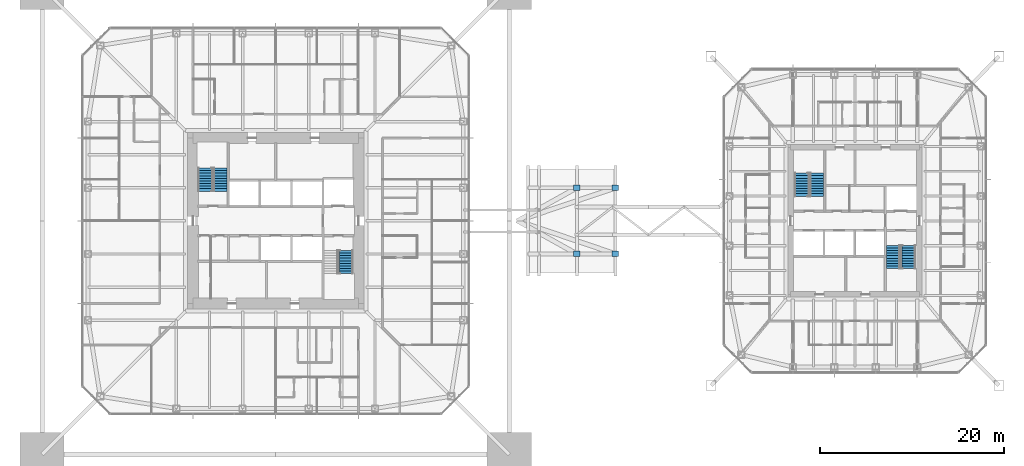
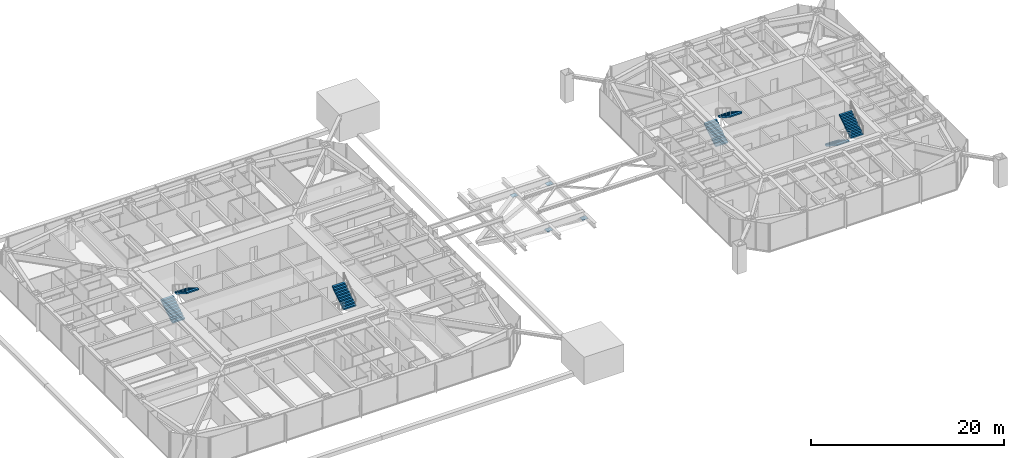
# One storey, part 21 of 26: 7 stair flights, 4 discrete accessories, 4 elements without a shape of their own.
"""IFC4 building model written with IfcOpenShell, lengths in metres."""

from ifc_helpers import new_model, si_unit, direction, frame, origin, origin_2d, place, context, subcontext, project, spatial, polyline, rectangle, outline, extrude, material, constituent, constituent_set, type_object, element, aggregate, save


model = new_model("IFC4")

# Units and contexts
model_context = context("Model", 3, precision=1e-05, world=origin(), true_north=direction((0.0, 1.0)))
body_context = subcontext(model_context, "Body", "Model", "MODEL_VIEW")
ifc_project = project(units=[si_unit("LENGTHUNIT", "METRE"), si_unit("AREAUNIT", "SQUARE_METRE"), si_unit("VOLUMEUNIT", "CUBIC_METRE"), si_unit("PLANEANGLEUNIT", "RADIAN"), si_unit("MASSUNIT", "GRAM", prefix="KILO")], contexts=[model_context])

# Site, building, storey
site_placement = place(None, origin())
site = spatial("IfcSite", under=ifc_project, at=site_placement, CompositionType="ELEMENT")
building_placement = place(site_placement, origin())
building = spatial("IfcBuilding", under=site, at=building_placement, Name="Iwan Alto Co-Living Towers", CompositionType="ELEMENT")
storey_placement = place(building_placement, frame((0.0, 0.0, 126.0)))
storey = spatial("IfcBuildingStorey", under=building, at=storey_placement, Name="L34", CompositionType="ELEMENT", Elevation=126.0)

# Stair, stair flights
ifc_material_1 = material(Name="Steel ASTM A36", Category="steel")
ifc_constituent_1 = constituent(ifc_material_1, Name="Stringers", Category="LoadBearing")
ifc_material_2 = material(Name="Concrete f'c 30 MPa", Category="concrete")
ifc_constituent_2 = constituent(ifc_material_2, Name="Tread fill", Category="Finish")
ifc_constituent_set_1 = constituent_set(constituents=[ifc_constituent_1, ifc_constituent_2], Name="STAIR 3500 TWO-FLIGHT T1 CORE")
stair_type_1 = type_object("IfcStairType", Name="STAIR 3500 TWO-FLIGHT T1 CORE", PredefinedType="HALF_TURN_STAIR", material=ifc_constituent_set_1)
stair_1_placement = place(storey_placement, origin())
stair_1 = element("IfcStair", 1, at=stair_1_placement, inside=storey, type_object=stair_type_1, Name="Stair T1-S1 L34 to L35", PredefinedType="HALF_TURN_STAIR")
ifc_constituent_3 = constituent(ifc_material_1, Name="Stringers", Category="LoadBearing")
ifc_constituent_4 = constituent(ifc_material_2, Name="Tread fill", Category="Finish")
ifc_constituent_set_2 = constituent_set(constituents=[ifc_constituent_3, ifc_constituent_4], Name="STAIR FLIGHT 10 RISERS 280 GOING")
stair_flight_type = type_object("IfcStairFlightType", Name="STAIR FLIGHT 10 RISERS 280 GOING", PredefinedType="STRAIGHT", material=ifc_constituent_set_2)
stair_flight_1_placement = place(storey_placement, frame((-7.68994140625, 3.219970703125, 0.0), z_axis=(0.0, 0.0, 1.0), x_axis=(0.0, 1.0, 0.0)))
stair_flight_1 = element("IfcStairFlight", 2, at=stair_flight_1_placement, type_object=stair_flight_type, Name="T1-S1 flight 1", NumberOfRisers=10, NumberOfTreads=9, PredefinedType="STRAIGHT", RiserHeight=0.175, TreadLength=0.28, context=body_context, shape_type="SweptSolid", body=[
    extrude(outline(polyline([(0.0, 0.0), (0.0, 0.175048828125), (0.280029296875, 0.175048828125), (0.280029296875, 0.35009765625), (0.56005859375, 0.35009765625), (0.56005859375, 0.52490234375), (0.840087890625, 0.52490234375), (0.840087890625, 0.699951171875), (1.1201171875, 0.699951171875), (1.1201171875, 0.875), (1.39990234375, 0.875), (1.39990234375, 1.050048828125), (1.679931640625, 1.050048828125), (1.679931640625, 1.22509765625), (1.9599609375, 1.22509765625), (1.9599609375, 1.39990234375), (2.239990234375, 1.39990234375), (2.239990234375, 1.574951171875), (2.52001953125, 1.574951171875), (2.52001953125, 1.75), (2.52001953125, 1.398193359375), (0.28271484375, 0.0), (0.0, 0.0)])), frame((0.0, 0.739990234375, 0.0), z_axis=(0.0, -1.0, 0.0), x_axis=(1.0, 0.0, 0.0)), (0.0, 0.0, 1.0), 1.47998046875),
])
stair_flight_2_placement = place(storey_placement, frame((-6.010009765625, 5.739990234375, 1.75), z_axis=(0.0, 0.0, 1.0), x_axis=(0.0, -1.0, 0.0)))
stair_flight_2 = element("IfcStairFlight", 3, at=stair_flight_2_placement, type_object=stair_flight_type, Name="T1-S1 flight 2", NumberOfRisers=10, NumberOfTreads=9, PredefinedType="STRAIGHT", RiserHeight=0.175, TreadLength=0.28, context=body_context, shape_type="SweptSolid", body=[
    extrude(outline(polyline([(0.0, 0.0), (0.0, 0.175048828125), (0.280029296875, 0.175048828125), (0.280029296875, 0.35009765625), (0.56005859375, 0.35009765625), (0.56005859375, 0.52490234375), (0.840087890625, 0.52490234375), (0.840087890625, 0.699951171875), (1.1201171875, 0.699951171875), (1.1201171875, 0.875), (1.39990234375, 0.875), (1.39990234375, 1.050048828125), (1.679931640625, 1.050048828125), (1.679931640625, 1.22509765625), (1.9599609375, 1.22509765625), (1.9599609375, 1.39990234375), (2.239990234375, 1.39990234375), (2.239990234375, 1.574951171875), (2.52001953125, 1.574951171875), (2.52001953125, 1.75), (2.52001953125, 1.398193359375), (0.28271484375, 0.0), (0.0, 0.0)])), frame((0.0, 0.739990234375, 0.0), z_axis=(0.0, -1.0, 0.0), x_axis=(1.0, 0.0, 0.0)), (0.0, 0.0, 1.0), 1.47998046875),
])
aggregate(stair_1, [stair_flight_1, stair_flight_2])

# Stair, stair flight
stair_2_placement = place(storey_placement, origin())
stair_2 = element("IfcStair", 4, at=stair_2_placement, inside=storey, type_object=stair_type_1, Name="Stair T1-S2 L34 to L35", PredefinedType="HALF_TURN_STAIR")
stair_flight_3_placement = place(storey_placement, frame((7.68994140625, -5.739990234375, 1.75), z_axis=(0.0, 0.0, 1.0), x_axis=(0.0, 1.0, 0.0)))
stair_flight_3 = element("IfcStairFlight", 5, at=stair_flight_3_placement, type_object=stair_flight_type, Name="T1-S2 flight 2", NumberOfRisers=10, NumberOfTreads=9, PredefinedType="STRAIGHT", RiserHeight=0.175, TreadLength=0.28, context=body_context, shape_type="SweptSolid", body=[
    extrude(outline(polyline([(0.0, 0.0), (0.0, 0.175048828125), (0.280029296875, 0.175048828125), (0.280029296875, 0.35009765625), (0.56005859375, 0.35009765625), (0.56005859375, 0.52490234375), (0.840087890625, 0.52490234375), (0.840087890625, 0.699951171875), (1.1201171875, 0.699951171875), (1.1201171875, 0.875), (1.39990234375, 0.875), (1.39990234375, 1.050048828125), (1.679931640625, 1.050048828125), (1.679931640625, 1.22509765625), (1.9599609375, 1.22509765625), (1.9599609375, 1.39990234375), (2.239990234375, 1.39990234375), (2.239990234375, 1.574951171875), (2.52001953125, 1.574951171875), (2.52001953125, 1.75), (2.52001953125, 1.398193359375), (0.28271484375, 0.0), (0.0, 0.0)])), frame((0.0, 0.739990234375, 0.0), z_axis=(0.0, -1.0, 0.0), x_axis=(1.0, 0.0, 0.0)), (0.0, 0.0, 1.0), 1.47998046875),
])
aggregate(stair_2, [stair_flight_3])

# Stair, stair flights
ifc_constituent_5 = constituent(ifc_material_1, Name="Stringers", Category="LoadBearing")
ifc_constituent_6 = constituent(ifc_material_2, Name="Tread fill", Category="Finish")
ifc_constituent_set_3 = constituent_set(constituents=[ifc_constituent_5, ifc_constituent_6], Name="STAIR 3500 TWO-FLIGHT T2 CORE")
stair_type_2 = type_object("IfcStairType", Name="STAIR 3500 TWO-FLIGHT T2 CORE", PredefinedType="HALF_TURN_STAIR", material=ifc_constituent_set_3)
stair_3_placement = place(storey_placement, origin())
stair_3 = element("IfcStair", 6, at=stair_3_placement, inside=storey, type_object=stair_type_2, Name="Stair T2-S1 L34 to L35", PredefinedType="HALF_TURN_STAIR")
stair_flight_4_placement = place(storey_placement, frame((57.159912109375, 2.669921875, 0.0), z_axis=(0.0, 0.0, 1.0), x_axis=(0.0, 1.0, 0.0)))
stair_flight_4 = element("IfcStairFlight", 7, at=stair_flight_4_placement, type_object=stair_flight_type, Name="T2-S1 flight 1", NumberOfRisers=10, NumberOfTreads=9, PredefinedType="STRAIGHT", RiserHeight=0.175, TreadLength=0.28, context=body_context, shape_type="SweptSolid", body=[
    extrude(outline(polyline([(0.0, 0.0), (0.0, 0.175048828125), (0.280029296875, 0.175048828125), (0.280029296875, 0.35009765625), (0.56005859375, 0.35009765625), (0.56005859375, 0.52490234375), (0.840087890625, 0.52490234375), (0.840087890625, 0.699951171875), (1.1201171875, 0.699951171875), (1.1201171875, 0.875), (1.39990234375, 0.875), (1.39990234375, 1.050048828125), (1.679931640625, 1.050048828125), (1.679931640625, 1.22509765625), (1.9599609375, 1.22509765625), (1.9599609375, 1.39990234375), (2.239990234375, 1.39990234375), (2.239990234375, 1.574951171875), (2.52001953125, 1.574951171875), (2.52001953125, 1.75), (2.52001953125, 1.398193359375), (0.28271484375, 0.0), (0.0, 0.0)])), frame((0.0, 0.739990234375, 0.0), z_axis=(0.0, -1.0, 0.0), x_axis=(1.0, 0.0, 0.0)), (0.0, 0.0, 1.0), 1.47998046875),
])
stair_flight_5_placement = place(storey_placement, frame((58.840087890625, 5.18994140625, 1.75), z_axis=(0.0, 0.0, 1.0), x_axis=(0.0, -1.0, 0.0)))
stair_flight_5 = element("IfcStairFlight", 8, at=stair_flight_5_placement, type_object=stair_flight_type, Name="T2-S1 flight 2", NumberOfRisers=10, NumberOfTreads=9, PredefinedType="STRAIGHT", RiserHeight=0.175, TreadLength=0.28, context=body_context, shape_type="SweptSolid", body=[
    extrude(outline(polyline([(0.0, 0.0), (0.0, 0.175048828125), (0.280029296875, 0.175048828125), (0.280029296875, 0.35009765625), (0.56005859375, 0.35009765625), (0.56005859375, 0.52490234375), (0.840087890625, 0.52490234375), (0.840087890625, 0.699951171875), (1.1201171875, 0.699951171875), (1.1201171875, 0.875), (1.39990234375, 0.875), (1.39990234375, 1.050048828125), (1.679931640625, 1.050048828125), (1.679931640625, 1.22509765625), (1.9599609375, 1.22509765625), (1.9599609375, 1.39990234375), (2.239990234375, 1.39990234375), (2.239990234375, 1.574951171875), (2.52001953125, 1.574951171875), (2.52001953125, 1.75), (2.52001953125, 1.398193359375), (0.28271484375, 0.0), (0.0, 0.0)])), frame((0.0, 0.739990234375, 0.0), z_axis=(0.0, -1.0, 0.0), x_axis=(1.0, 0.0, 0.0)), (0.0, 0.0, 1.0), 1.47998046875),
])
aggregate(stair_3, [stair_flight_4, stair_flight_5])

stair_4_placement = place(storey_placement, origin())
stair_4 = element("IfcStair", 9, at=stair_4_placement, inside=storey, type_object=stair_type_2, Name="Stair T2-S2 L34 to L35", PredefinedType="HALF_TURN_STAIR")
stair_flight_6_placement = place(storey_placement, frame((67.159912109375, -2.669921875, 0.0), z_axis=(0.0, 0.0, 1.0), x_axis=(0.0, -1.0, 0.0)))
stair_flight_6 = element("IfcStairFlight", 10, at=stair_flight_6_placement, type_object=stair_flight_type, Name="T2-S2 flight 1", NumberOfRisers=10, NumberOfTreads=9, PredefinedType="STRAIGHT", RiserHeight=0.175, TreadLength=0.28, context=body_context, shape_type="SweptSolid", body=[
    extrude(outline(polyline([(0.0, 0.0), (0.0, 0.175048828125), (0.280029296875, 0.175048828125), (0.280029296875, 0.35009765625), (0.56005859375, 0.35009765625), (0.56005859375, 0.52490234375), (0.840087890625, 0.52490234375), (0.840087890625, 0.699951171875), (1.1201171875, 0.699951171875), (1.1201171875, 0.875), (1.39990234375, 0.875), (1.39990234375, 1.050048828125), (1.679931640625, 1.050048828125), (1.679931640625, 1.22509765625), (1.9599609375, 1.22509765625), (1.9599609375, 1.39990234375), (2.239990234375, 1.39990234375), (2.239990234375, 1.574951171875), (2.52001953125, 1.574951171875), (2.52001953125, 1.75), (2.52001953125, 1.398193359375), (0.28271484375, 0.0), (0.0, 0.0)])), frame((0.0, 0.739990234375, 0.0), z_axis=(0.0, -1.0, 0.0), x_axis=(1.0, 0.0, 0.0)), (0.0, 0.0, 1.0), 1.47998046875),
])
stair_flight_7_placement = place(storey_placement, frame((68.840087890625, -5.18994140625, 1.75), z_axis=(0.0, 0.0, 1.0), x_axis=(0.0, 1.0, 0.0)))
stair_flight_7 = element("IfcStairFlight", 11, at=stair_flight_7_placement, type_object=stair_flight_type, Name="T2-S2 flight 2", NumberOfRisers=10, NumberOfTreads=9, PredefinedType="STRAIGHT", RiserHeight=0.175, TreadLength=0.28, context=body_context, shape_type="SweptSolid", body=[
    extrude(outline(polyline([(0.0, 0.0), (0.0, 0.175048828125), (0.280029296875, 0.175048828125), (0.280029296875, 0.35009765625), (0.56005859375, 0.35009765625), (0.56005859375, 0.52490234375), (0.840087890625, 0.52490234375), (0.840087890625, 0.699951171875), (1.1201171875, 0.699951171875), (1.1201171875, 0.875), (1.39990234375, 0.875), (1.39990234375, 1.050048828125), (1.679931640625, 1.050048828125), (1.679931640625, 1.22509765625), (1.9599609375, 1.22509765625), (1.9599609375, 1.39990234375), (2.239990234375, 1.39990234375), (2.239990234375, 1.574951171875), (2.52001953125, 1.574951171875), (2.52001953125, 1.75), (2.52001953125, 1.398193359375), (0.28271484375, 0.0), (0.0, 0.0)])), frame((0.0, 0.739990234375, 0.0), z_axis=(0.0, -1.0, 0.0), x_axis=(1.0, 0.0, 0.0)), (0.0, 0.0, 1.0), 1.47998046875),
])
aggregate(stair_4, [stair_flight_6, stair_flight_7])

# Discrete accessories
ifc_material_3 = material(Name="Steel ASTM A36", Category="steel")
discrete_accessory_type = type_object("IfcDiscreteAccessoryType", Name="END PLATE 700X600X40", PredefinedType="USERDEFINED", material=ifc_material_3)
for number, where, z_axis, x_axis, name in (
    (12, (32.75, -3.60009765625, 1.60400390625), (0.0, 0.0, 1.0), (1.0, 0.0, 0.0), "BR2 landing strut S end plate"),
    (13, (36.949951171875, -3.60009765625, 1.60400390625), (0.0, 0.0, 1.0), (1.0, 0.0, 0.0), "BR2 landing tip strut S end plate"),
    (14, (32.75, 3.60009765625, 1.60400390625), (0.0, 0.0, 1.0), (1.0, 0.0, 0.0), "BR2 landing strut N end plate"),
    (15, (36.949951171875, 3.60009765625, 1.60400390625), (0.0, 0.0, 1.0), (1.0, 0.0, 0.0), "BR2 landing tip strut N end plate"),
):
    element("IfcDiscreteAccessory", number, at=place(storey_placement, frame(where, z_axis=z_axis, x_axis=x_axis)), inside=storey, type_object=discrete_accessory_type, Name=name, ObjectType="END PLATE", PredefinedType="USERDEFINED", context=body_context, shape_type="SweptSolid", body=[
        extrude(rectangle(XDim=0.699951171875, YDim=0.60009765625, at=origin_2d()), origin(), (0.0, 0.0, 1.0), 0.0400390625),
    ])

save(model, "model.ifc")
